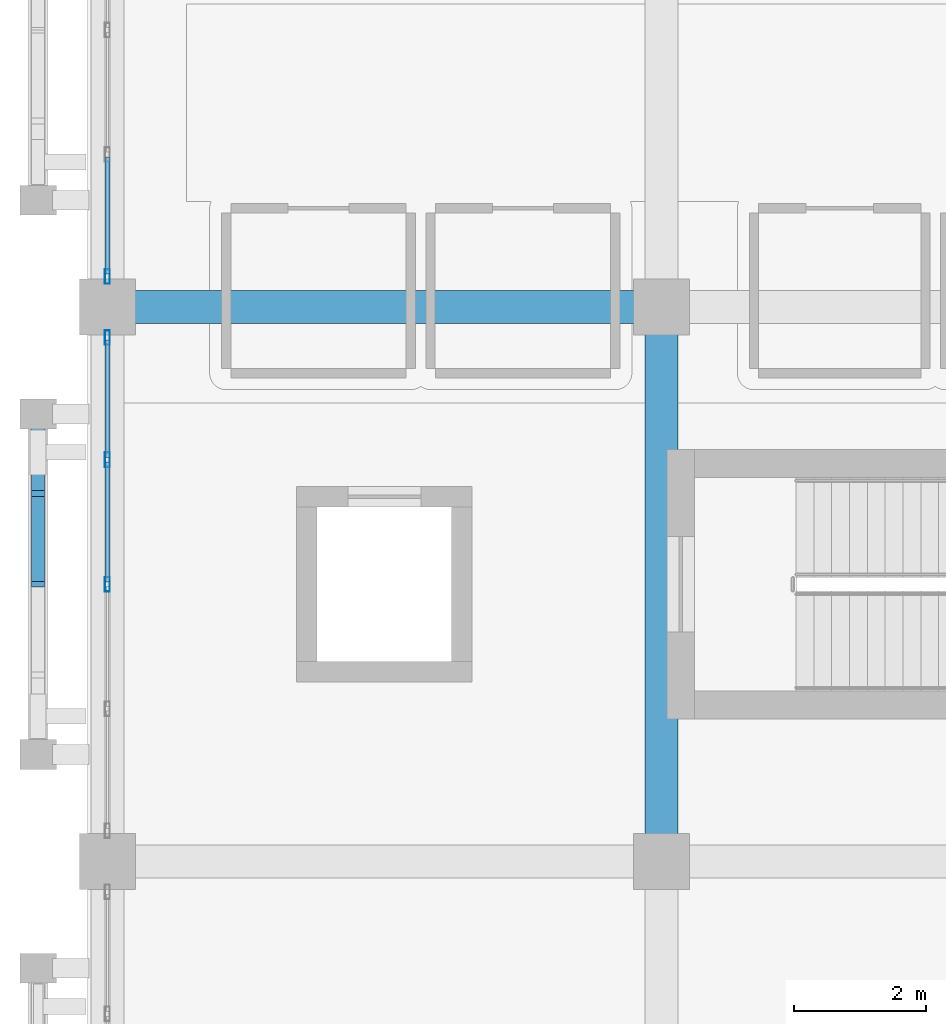
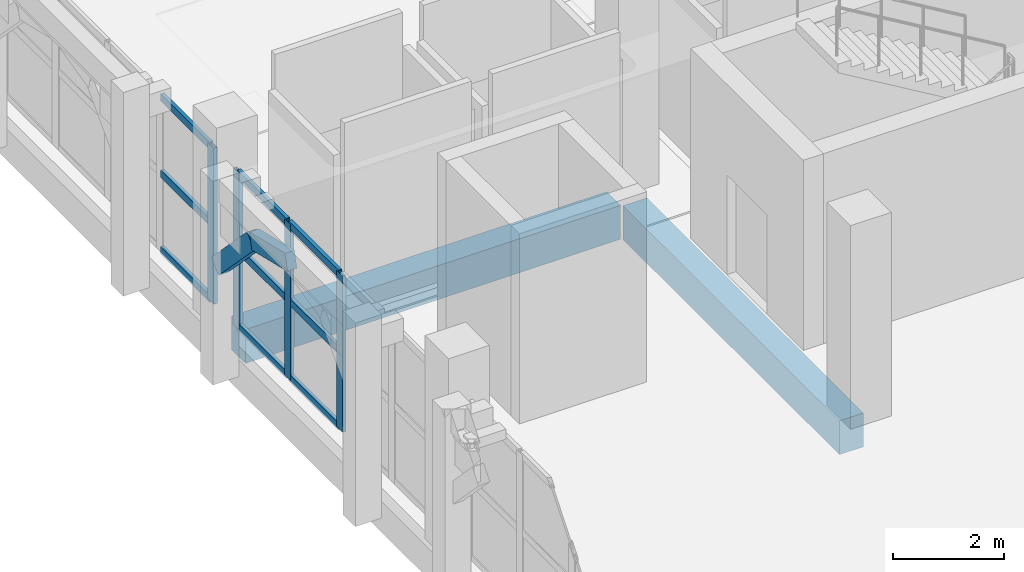
# One storey, part 44 of 129: 15 members, 2 beams, 2 elements without a shape of their own.
"""IFC4 building model written with IfcOpenShell, lengths in metres."""

from ifc_helpers import new_model, si_unit, direction, frame, origin, origin_2d, place, context, subcontext, project, spatial, rectangle, hollow_rectangle, extrude, material, layer, layer_set, material_profile, profile_set, type_object, element, aggregate, save


model = new_model("IFC4")

# Units and contexts
model_context = context("Model", 3, precision=1e-05, world=origin(), true_north=direction((0.0, 1.0)))
body_context = subcontext(model_context, "Body", "Model", "MODEL_VIEW")
ifc_project = project(units=[si_unit("LENGTHUNIT", "METRE"), si_unit("AREAUNIT", "SQUARE_METRE"), si_unit("VOLUMEUNIT", "CUBIC_METRE"), si_unit("PLANEANGLEUNIT", "RADIAN"), si_unit("MASSUNIT", "GRAM", prefix="KILO")], contexts=[model_context])

# Site, building, storey
site_placement = place(None, origin())
site = spatial("IfcSite", under=ifc_project, at=site_placement, CompositionType="ELEMENT")
building_placement = place(site_placement, origin())
building = spatial("IfcBuilding", under=site, at=building_placement, Name="Xazarin Passage Department Store", CompositionType="ELEMENT")
storey_placement = place(building_placement, frame((0.0, 0.0, 9.89990234375)))
storey = spatial("IfcBuildingStorey", under=building, at=storey_placement, Name="L02", CompositionType="ELEMENT", Elevation=9.89990234375)

# Curtain wall, members
ifc_material_1 = material(Name="Bronze anodised aluminium", Category="aluminium")
ifc_layer = layer(ifc_material_1, 0.199951171875)
ifc_layer_set = layer_set([ifc_layer], Name="Bronze anodised aluminium")
curtain_wall_type = type_object("IfcCurtainWallType", Name="ARC-CW-VIT2", PredefinedType="NOTDEFINED", material=ifc_layer_set)
curtain_wall_1_placement = place(storey_placement, origin())
curtain_wall_1 = element("IfcCurtainWall", 1, at=curtain_wall_1_placement, inside=storey, type_object=curtain_wall_type, Name="L02 V1 Curtain Wall 047", PredefinedType="NOTDEFINED")
ifc_material_profile_1 = material_profile(ifc_material_1, hollow_rectangle(XDim=0.074951171875, YDim=0.219970703125, WallThickness=0.0048828125, at=origin_2d()), Name="ALU 75x220")
ifc_profile_set_1 = profile_set([ifc_material_profile_1], Name="Bronze anodised aluminium")
member_type_1 = type_object("IfcMemberType", Name="ARC-CWM-75x220", PredefinedType="MULLION", material=ifc_profile_set_1)
member_1_placement = place(storey_placement, frame((0.0, 80.60009765625, 0.0), z_axis=(0.0, 0.0, 1.0), x_axis=(-1.0, 0.0, 0.0)))
member_1 = element("IfcMember", 2, at=member_1_placement, type_object=member_type_1, Name="CW2 mullion 3", PredefinedType="MULLION", context=body_context, shape_type="SweptSolid", body=[
    extrude(hollow_rectangle(XDim=0.074951171875, YDim=0.219970703125, WallThickness=0.0048828125, at=origin_2d()), origin(), (0.0, 0.0, 1.0), 3.4501953125),
])
member_2_placement = place(storey_placement, frame((0.0, 82.487548828125, 0.0), z_axis=(0.0, 0.0, 1.0), x_axis=(-1.0, 0.0, 0.0)))
member_2 = element("IfcMember", 3, at=member_2_placement, type_object=member_type_1, Name="CW2 mullion 4", PredefinedType="MULLION", context=body_context, shape_type="SweptSolid", body=[
    extrude(hollow_rectangle(XDim=0.074951171875, YDim=0.219970703125, WallThickness=0.0048828125, at=origin_2d()), origin(), (0.0, 0.0, 1.0), 3.4501953125),
])
member_3_placement = place(storey_placement, frame((0.0, 84.33740234375, 0.0), z_axis=(0.0, 0.0, 1.0), x_axis=(-1.0, 0.0, 0.0)))
member_3 = element("IfcMember", 4, at=member_3_placement, type_object=member_type_1, Name="CW2 mullion 5", PredefinedType="MULLION", context=body_context, shape_type="SweptSolid", body=[
    extrude(hollow_rectangle(XDim=0.074951171875, YDim=0.219970703125, WallThickness=0.0048828125, at=origin_2d()), origin(), (0.0, 0.0, 1.0), 3.4501953125),
])

# Curtain wall, member
curtain_wall_2_placement = place(storey_placement, origin())
curtain_wall_2 = element("IfcCurtainWall", 5, at=curtain_wall_2_placement, inside=storey, type_object=curtain_wall_type, Name="L02 V1 Curtain Wall 048", PredefinedType="NOTDEFINED")
member_4_placement = place(storey_placement, frame((0.0, 85.262451171875, 0.0), z_axis=(0.0, 0.0, 1.0), x_axis=(-1.0, 0.0, 0.0)))
member_4 = element("IfcMember", 6, at=member_4_placement, type_object=member_type_1, Name="CW2 mullion 1", PredefinedType="MULLION", context=body_context, shape_type="SweptSolid", body=[
    extrude(hollow_rectangle(XDim=0.074951171875, YDim=0.219970703125, WallThickness=0.0048828125, at=origin_2d()), origin(), (0.0, 0.0, 1.0), 3.4501953125),
])

# Member
ifc_material_profile_2 = material_profile(ifc_material_1, hollow_rectangle(XDim=0.074951171875, YDim=0.159912109375, WallThickness=0.00439453125, at=origin_2d()), Name="ALU 75x160")
ifc_profile_set_2 = profile_set([ifc_material_profile_2], Name="Bronze anodised aluminium")
member_type_2 = type_object("IfcMemberType", Name="ARC-CWT-75x160", PredefinedType="USERDEFINED", material=ifc_profile_set_2)
member_5_placement = place(storey_placement, frame((0.0, 80.637451171875, 0.03759765625), z_axis=(0.0, 1.0, 0.0), x_axis=(-1.0, 0.0, 0.0)))
member_5 = element("IfcMember", 7, at=member_5_placement, type_object=member_type_2, Name="CW2 transom 3.1", ObjectType="TRANSOM", PredefinedType="USERDEFINED", context=body_context, shape_type="SweptSolid", body=[
    extrude(hollow_rectangle(XDim=0.074951171875, YDim=0.159912109375, WallThickness=0.00439453125, at=origin_2d()), origin(), (0.0, 0.0, 1.0), 1.8125),
])

member_6_placement = place(storey_placement, frame((0.0, 80.637451171875, 1.72509765625), z_axis=(0.0, 1.0, 0.0), x_axis=(-1.0, 0.0, 0.0)))
member_6 = element("IfcMember", 8, at=member_6_placement, type_object=member_type_2, Name="CW2 transom 3.2", ObjectType="TRANSOM", PredefinedType="USERDEFINED", context=body_context, shape_type="SweptSolid", body=[
    extrude(hollow_rectangle(XDim=0.074951171875, YDim=0.159912109375, WallThickness=0.00439453125, at=origin_2d()), origin(), (0.0, 0.0, 1.0), 1.8125),
])

member_7_placement = place(storey_placement, frame((0.0, 80.637451171875, 3.41259765625), z_axis=(0.0, 1.0, 0.0), x_axis=(-1.0, 0.0, 0.0)))
member_7 = element("IfcMember", 9, at=member_7_placement, type_object=member_type_2, Name="CW2 transom 3.3", ObjectType="TRANSOM", PredefinedType="USERDEFINED", context=body_context, shape_type="SweptSolid", body=[
    extrude(hollow_rectangle(XDim=0.074951171875, YDim=0.159912109375, WallThickness=0.00439453125, at=origin_2d()), origin(), (0.0, 0.0, 1.0), 1.8125),
])

member_8_placement = place(storey_placement, frame((0.0, 82.52490234375, 0.03759765625), z_axis=(0.0, 1.0, 0.0), x_axis=(-1.0, 0.0, 0.0)))
member_8 = element("IfcMember", 10, at=member_8_placement, type_object=member_type_2, Name="CW2 transom 4.1", ObjectType="TRANSOM", PredefinedType="USERDEFINED", context=body_context, shape_type="SweptSolid", body=[
    extrude(hollow_rectangle(XDim=0.074951171875, YDim=0.159912109375, WallThickness=0.00439453125, at=origin_2d()), origin(), (0.0, 0.0, 1.0), 1.775146484375),
])

member_9_placement = place(storey_placement, frame((0.0, 82.52490234375, 1.72509765625), z_axis=(0.0, 1.0, 0.0), x_axis=(-1.0, 0.0, 0.0)))
member_9 = element("IfcMember", 11, at=member_9_placement, type_object=member_type_2, Name="CW2 transom 4.2", ObjectType="TRANSOM", PredefinedType="USERDEFINED", context=body_context, shape_type="SweptSolid", body=[
    extrude(hollow_rectangle(XDim=0.074951171875, YDim=0.159912109375, WallThickness=0.00439453125, at=origin_2d()), origin(), (0.0, 0.0, 1.0), 1.775146484375),
])

member_10_placement = place(storey_placement, frame((0.0, 82.52490234375, 3.41259765625), z_axis=(0.0, 1.0, 0.0), x_axis=(-1.0, 0.0, 0.0)))
member_10 = element("IfcMember", 12, at=member_10_placement, type_object=member_type_2, Name="CW2 transom 4.3", ObjectType="TRANSOM", PredefinedType="USERDEFINED", context=body_context, shape_type="SweptSolid", body=[
    extrude(hollow_rectangle(XDim=0.074951171875, YDim=0.159912109375, WallThickness=0.00439453125, at=origin_2d()), origin(), (0.0, 0.0, 1.0), 1.775146484375),
])

aggregate(curtain_wall_1, [member_1, member_2, member_3, member_5, member_6, member_7, member_8, member_9, member_10])

member_11_placement = place(storey_placement, frame((0.0, 85.300048828125, 0.03759765625), z_axis=(0.0, 1.0, 0.0), x_axis=(-1.0, 0.0, 0.0)))
member_11 = element("IfcMember", 13, at=member_11_placement, type_object=member_type_2, Name="CW2 transom 1.1", ObjectType="TRANSOM", PredefinedType="USERDEFINED", context=body_context, shape_type="SweptSolid", body=[
    extrude(hollow_rectangle(XDim=0.074951171875, YDim=0.159912109375, WallThickness=0.00439453125, at=origin_2d()), origin(), (0.0, 0.0, 1.0), 1.77490234375),
])

member_12_placement = place(storey_placement, frame((0.0, 85.300048828125, 1.72509765625), z_axis=(0.0, 1.0, 0.0), x_axis=(-1.0, 0.0, 0.0)))
member_12 = element("IfcMember", 14, at=member_12_placement, type_object=member_type_2, Name="CW2 transom 1.2", ObjectType="TRANSOM", PredefinedType="USERDEFINED", context=body_context, shape_type="SweptSolid", body=[
    extrude(hollow_rectangle(XDim=0.074951171875, YDim=0.159912109375, WallThickness=0.00439453125, at=origin_2d()), origin(), (0.0, 0.0, 1.0), 1.77490234375),
])

member_13_placement = place(storey_placement, frame((0.0, 85.300048828125, 3.41259765625), z_axis=(0.0, 1.0, 0.0), x_axis=(-1.0, 0.0, 0.0)))
member_13 = element("IfcMember", 15, at=member_13_placement, type_object=member_type_2, Name="CW2 transom 1.3", ObjectType="TRANSOM", PredefinedType="USERDEFINED", context=body_context, shape_type="SweptSolid", body=[
    extrude(hollow_rectangle(XDim=0.074951171875, YDim=0.159912109375, WallThickness=0.00439453125, at=origin_2d()), origin(), (0.0, 0.0, 1.0), 1.77490234375),
])

aggregate(curtain_wall_2, [member_4, member_11, member_12, member_13])

# Beams
ifc_material_2 = material(Name="Concrete C35/45", Category="concrete")
ifc_material_profile_3 = material_profile(ifc_material_2, rectangle(XDim=0.5, YDim=0.75, at=origin_2d()), Name="RC 500x750")
ifc_profile_set_3 = profile_set([ifc_material_profile_3], Name="Concrete C35/45")
beam_type = type_object("IfcBeamType", Name="STR-BM-SP500x750", PredefinedType="SPANDREL", material=ifc_profile_set_3)
for number, where, z_axis, x_axis, name in (
    (16, (0.280029296875, 84.800048828125, -0.6748046875), (1.0, 0.0, 0.0), (0.0, 1.0, 0.0), "L02 Grid Beam M/1-2"),
    (17, (8.39990234375, 76.679931640625, -0.6748046875), (0.0, 1.0, 0.0), (-1.0, 0.0, 0.0), "L02 Grid Beam 2/L-M"),
):
    element("IfcBeam", number, at=place(storey_placement, frame(where, z_axis=z_axis, x_axis=x_axis)), inside=storey, type_object=beam_type, Name=name, PredefinedType="SPANDREL", context=body_context, shape_type="SweptSolid", body=[
        extrude(rectangle(XDim=0.5, YDim=0.75, at=origin_2d()), origin(), (0.0, 0.0, 1.0), 7.840087890625),
    ])

# Members
ifc_material_3 = material(Name="Concrete C40/50", Category="concrete")
ifc_material_profile_4 = material_profile(ifc_material_3, rectangle(XDim=0.199951171875, YDim=0.360107421875, at=origin_2d()), Name="RC 200x360")
ifc_profile_set_4 = profile_set([ifc_material_profile_4], Name="Concrete C40/50")
member_type_3 = type_object("IfcMemberType", Name="STR-MEM-ARC360", PredefinedType="CHORD", material=ifc_profile_set_4)
member_14_placement = place(storey_placement, frame((-1.050048828125, 80.60009765625, 4.080078125), z_axis=(0.0, 0.972383960415, -0.233386875224), x_axis=(-1.0, 0.0, 0.0)))
element("IfcMember", 18, at=member_14_placement, inside=storey, type_object=member_type_3, Name="L02 V1 Pierced Lattice Curved Arch 011.3", PredefinedType="CHORD", context=body_context, shape_type="SweptSolid", body=[
    extrude(rectangle(XDim=0.199951171875, YDim=0.360107421875, at=origin_2d()), origin(), (0.0, 0.0, 1.0), 1.326416015625),
])
member_15_placement = place(storey_placement, frame((-1.050048828125, 81.889892578125, 3.7705078125), z_axis=(0.0, 0.693460080602, -0.720495049679), x_axis=(-1.0, 0.0, 0.0)))
element("IfcMember", 19, at=member_15_placement, inside=storey, type_object=member_type_3, Name="L02 V1 Pierced Lattice Curved Arch 011.4", PredefinedType="CHORD", context=body_context, shape_type="SweptSolid", body=[
    extrude(rectangle(XDim=0.199951171875, YDim=0.360107421875, at=origin_2d()), origin(), (0.0, 0.0, 1.0), 1.8603515625),
])

save(model, "model.ifc")
